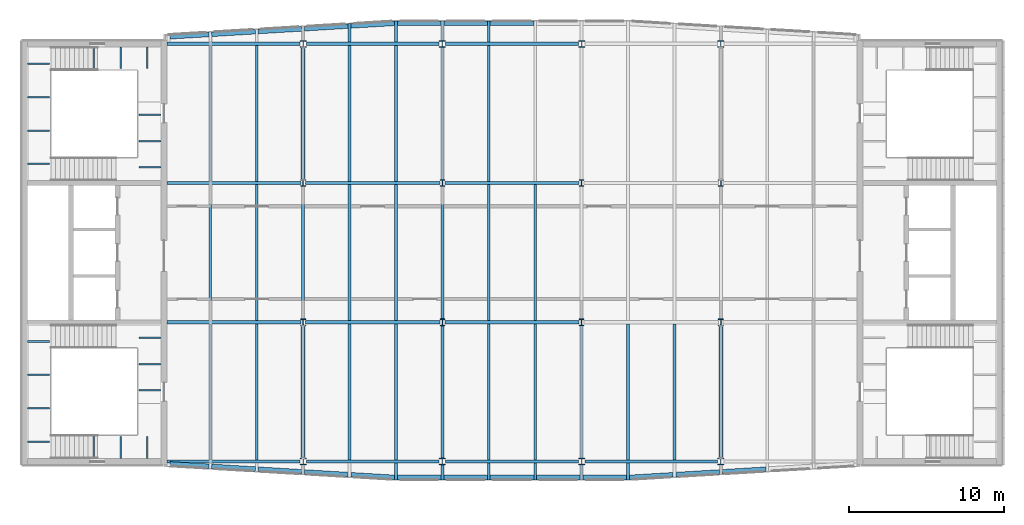
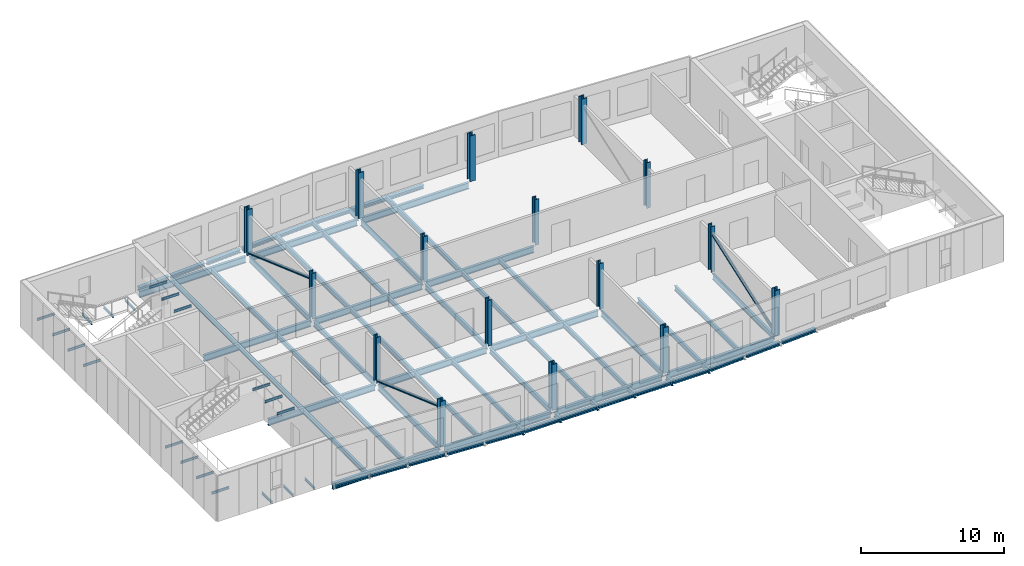
# One storey, part 1 of 9: 91 beams, 16 columns, 3 members.
"""IFC4 building model written with IfcOpenShell, lengths in metres."""

from ifc_helpers import new_model, si_unit, direction, frame, origin, origin_2d, place, context, subcontext, project, spatial, hollow_circle, i_section, extrude, material, material_profile, profile_set, type_object, element, save


model = new_model("IFC4")

# Units and contexts
model_context = context("Model", 3, precision=1e-05, world=origin(), true_north=direction((0.0, 1.0)))
body_context = subcontext(model_context, "Body", "Model", "MODEL_VIEW")
ifc_project = project(units=[si_unit("LENGTHUNIT", "METRE"), si_unit("AREAUNIT", "SQUARE_METRE"), si_unit("VOLUMEUNIT", "CUBIC_METRE"), si_unit("PLANEANGLEUNIT", "RADIAN"), si_unit("MASSUNIT", "GRAM", prefix="KILO")], contexts=[model_context])

# Site, building, storey
site_placement = place(None, origin())
site = spatial("IfcSite", under=ifc_project, at=site_placement, CompositionType="ELEMENT")
building_placement = place(site_placement, origin())
building = spatial("IfcBuilding", under=site, at=building_placement, Name="Azimuth Sports and Learning Centre", CompositionType="ELEMENT")
storey_placement = place(building_placement, frame((0.0, 0.0, 51.89990234375)))
storey = spatial("IfcBuildingStorey", under=building, at=storey_placement, Name="L11", CompositionType="ELEMENT", Elevation=51.89990234375)

# Columns
ifc_material_1 = material(Name="Steel S460", Category="steel")
ifc_material_profile_1 = material_profile(ifc_material_1, i_section(OverallWidth=0.41796875, OverallDepth=0.455078125, WebThickness=0.0419921875, FlangeThickness=0.067626953125, FilletRadius=0.014892578125, at=origin_2d()), Name="HD 400x551")
ifc_profile_set_1 = profile_set([ifc_material_profile_1], Name="Steel S460")
column_type_1 = type_object("IfcColumnType", Name="Column HD 400x551", PredefinedType="COLUMN", material=ifc_profile_set_1)
for number, where, z_axis, x_axis, name in (
    (1, (72.0, 90.0, 0.0), (0.0, 0.0, 1.0), (1.0, 0.0, 0.0), "Hall column 9L L11"),
    (2, (81.0, 90.0, 0.0), (0.0, 0.0, 1.0), (1.0, 0.0, 0.0), "Hall column 10L L11"),
    (3, (90.0, 90.0, 0.0), (0.0, 0.0, 1.0), (1.0, 0.0, 0.0), "Hall column 11L L11"),
    (4, (99.0, 90.0, 0.0), (0.0, 0.0, 1.0), (1.0, 0.0, 0.0), "Hall column 12L L11"),
    (5, (72.0, 117.0, 0.0), (0.0, 0.0, 1.0), (1.0, 0.0, 0.0), "Hall column 9P L11"),
    (6, (81.0, 117.0, 0.0), (0.0, 0.0, 1.0), (1.0, 0.0, 0.0), "Hall column 10P L11"),
    (7, (90.0, 117.0, 0.0), (0.0, 0.0, 1.0), (1.0, 0.0, 0.0), "Hall column 11P L11"),
    (8, (99.0, 117.0, 0.0), (0.0, 0.0, 1.0), (1.0, 0.0, 0.0), "Hall column 12P L11"),
):
    element("IfcColumn", number, at=place(storey_placement, frame(where, z_axis=z_axis, x_axis=x_axis)), inside=storey, type_object=column_type_1, Name=name, PredefinedType="COLUMN", context=body_context, shape_type="SweptSolid", body=[
        extrude(i_section(OverallWidth=0.41796875, OverallDepth=0.455078125, WebThickness=0.0419921875, FlangeThickness=0.067626953125, FilletRadius=0.014892578125, at=origin_2d()), origin(), (0.0, 0.0, 1.0), 3.900146484375),
    ])
ifc_material_2 = material(Name="Steel S355", Category="steel")
ifc_material_profile_2 = material_profile(ifc_material_2, i_section(OverallWidth=0.306884765625, OverallDepth=0.431884765625, WebThickness=0.02099609375, FlangeThickness=0.0400390625, FilletRadius=0.027099609375, at=origin_2d()), Name="HEM 400")
ifc_profile_set_2 = profile_set([ifc_material_profile_2], Name="Steel S355")
column_type_2 = type_object("IfcColumnType", Name="Column HEM 400", PredefinedType="COLUMN", material=ifc_profile_set_2)
for number, where, z_axis, x_axis, name in (
    (9, (72.0, 99.0, 0.0), (0.0, 0.0, 1.0), (1.0, 0.0, 0.0), "Tower column 9M L11"),
    (10, (81.0, 99.0, 0.0), (0.0, 0.0, 1.0), (1.0, 0.0, 0.0), "Tower column 10M L11"),
    (11, (90.0, 99.0, 0.0), (0.0, 0.0, 1.0), (1.0, 0.0, 0.0), "Tower column 11M L11"),
    (12, (99.0, 99.0, 0.0), (0.0, 0.0, 1.0), (1.0, 0.0, 0.0), "Tower column 12M L11"),
    (13, (72.0, 108.0, 0.0), (0.0, 0.0, 1.0), (1.0, 0.0, 0.0), "Tower column 9N L11"),
    (14, (81.0, 108.0, 0.0), (0.0, 0.0, 1.0), (1.0, 0.0, 0.0), "Tower column 10N L11"),
    (15, (90.0, 108.0, 0.0), (0.0, 0.0, 1.0), (1.0, 0.0, 0.0), "Tower column 11N L11"),
    (16, (99.0, 108.0, 0.0), (0.0, 0.0, 1.0), (1.0, 0.0, 0.0), "Tower column 12N L11"),
):
    element("IfcColumn", number, at=place(storey_placement, frame(where, z_axis=z_axis, x_axis=x_axis)), inside=storey, type_object=column_type_2, Name=name, PredefinedType="COLUMN", context=body_context, shape_type="SweptSolid", body=[
        extrude(i_section(OverallWidth=0.306884765625, OverallDepth=0.431884765625, WebThickness=0.02099609375, FlangeThickness=0.0400390625, FilletRadius=0.027099609375, at=origin_2d()), origin(), (0.0, 0.0, 1.0), 3.900146484375),
    ])

# Beams
ifc_material_3 = material(Name="Steel S355", Category="steel")
ifc_material_profile_3 = material_profile(ifc_material_3, i_section(OverallWidth=0.10009765625, OverallDepth=0.199951171875, WebThickness=0.005615234375, FlangeThickness=0.008544921875, FilletRadius=0.011962890625, at=origin_2d()), Name="IPE 200")
ifc_profile_set_3 = profile_set([ifc_material_profile_3], Name="Steel S355")
beam_type_1 = type_object("IfcBeamType", Name="Beam IPE 200", PredefinedType="BEAM", material=ifc_profile_set_3)
for number, where, z_axis, x_axis, name in (
    (17, (58.473388671875, 90.199951171875, -0.2998046875), (0.0, 1.0, 0.0), (-1.0, 0.0, 0.0), "Landing bracket W1 L11 109"),
    (18, (60.199951171875, 90.199951171875, -0.2998046875), (0.0, 1.0, 0.0), (-1.0, 0.0, 0.0), "Landing bracket W1 L11 110"),
    (19, (61.9267578125, 90.199951171875, -0.2998046875), (0.0, 1.0, 0.0), (-1.0, 0.0, 0.0), "Landing bracket W1 L11 111"),
    (20, (54.199951171875, 91.288818359375, 1.35009765625), (1.0, 0.0, 0.0), (0.0, 1.0, 0.0), "Landing bracket W1 L11 112"),
    (21, (54.199951171875, 93.4462890625, 1.35009765625), (1.0, 0.0, 0.0), (0.0, 1.0, 0.0), "Landing bracket W1 L11 113"),
    (22, (54.199951171875, 95.603759765625, 1.35009765625), (1.0, 0.0, 0.0), (0.0, 1.0, 0.0), "Landing bracket W1 L11 114"),
    (23, (54.199951171875, 97.76123046875, 1.35009765625), (1.0, 0.0, 0.0), (0.0, 1.0, 0.0), "Landing bracket W1 L11 115"),
    (24, (62.800048828125, 94.598388671875, 3.60009765625), (-1.0, 0.0, 0.0), (0.0, -1.0, 0.0), "Landing bracket W1 L11 116"),
    (25, (62.800048828125, 96.294921875, 3.60009765625), (-1.0, 0.0, 0.0), (0.0, -1.0, 0.0), "Landing bracket W1 L11 117"),
    (26, (62.800048828125, 97.99169921875, 3.60009765625), (-1.0, 0.0, 0.0), (0.0, -1.0, 0.0), "Landing bracket W1 L11 118"),
    (27, (58.473388671875, 116.800048828125, -0.2998046875), (0.0, -1.0, 0.0), (1.0, 0.0, 0.0), "Landing bracket W2 L11 287"),
    (28, (60.199951171875, 116.800048828125, -0.2998046875), (0.0, -1.0, 0.0), (1.0, 0.0, 0.0), "Landing bracket W2 L11 288"),
    (29, (61.9267578125, 116.800048828125, -0.2998046875), (0.0, -1.0, 0.0), (1.0, 0.0, 0.0), "Landing bracket W2 L11 289"),
    (30, (54.199951171875, 109.23876953125, 1.35009765625), (1.0, 0.0, 0.0), (0.0, 1.0, 0.0), "Landing bracket W2 L11 290"),
    (31, (54.199951171875, 111.396240234375, 1.35009765625), (1.0, 0.0, 0.0), (0.0, 1.0, 0.0), "Landing bracket W2 L11 291"),
    (32, (54.199951171875, 113.5537109375, 1.35009765625), (1.0, 0.0, 0.0), (0.0, 1.0, 0.0), "Landing bracket W2 L11 292"),
    (33, (54.199951171875, 115.711181640625, 1.35009765625), (1.0, 0.0, 0.0), (0.0, 1.0, 0.0), "Landing bracket W2 L11 293"),
    (34, (62.800048828125, 109.00830078125, 3.60009765625), (-1.0, 0.0, 0.0), (0.0, -1.0, 0.0), "Landing bracket W2 L11 294"),
    (35, (62.800048828125, 110.705078125, 3.60009765625), (-1.0, 0.0, 0.0), (0.0, -1.0, 0.0), "Landing bracket W2 L11 295"),
    (36, (62.800048828125, 112.401611328125, 3.60009765625), (-1.0, 0.0, 0.0), (0.0, -1.0, 0.0), "Landing bracket W2 L11 296"),
):
    element("IfcBeam", number, at=place(storey_placement, frame(where, z_axis=z_axis, x_axis=x_axis)), inside=storey, type_object=beam_type_1, Name=name, PredefinedType="BEAM", context=body_context, shape_type="SweptSolid", body=[
        extrude(i_section(OverallWidth=0.10009765625, OverallDepth=0.199951171875, WebThickness=0.005615234375, FlangeThickness=0.008544921875, FilletRadius=0.011962890625, at=origin_2d()), origin(), (0.0, 0.0, 1.0), 1.41015625),
    ])
ifc_material_4 = material(Name="Steel S355", Category="steel")
ifc_material_profile_4 = material_profile(ifc_material_4, i_section(OverallWidth=0.18994140625, OverallDepth=0.449951171875, WebThickness=0.009521484375, FlangeThickness=0.0146484375, FilletRadius=0.02099609375, at=origin_2d()), Name="IPE 450")
ifc_profile_set_4 = profile_set([ifc_material_profile_4], Name="Steel S355")
beam_type_2 = type_object("IfcBeamType", Name="Beam IPE 450", PredefinedType="BEAM", material=ifc_profile_set_4)
beam_1_placement = place(storey_placement, frame((72.0, 90.2275390625, -0.35498046875), z_axis=(0.0, 1.0, 0.0), x_axis=(-1.0, 0.0, 0.0)))
element("IfcBeam", 37, at=beam_1_placement, inside=storey, type_object=beam_type_2, Name="Tower tie", PredefinedType="BEAM", context=body_context, shape_type="SweptSolid", body=[
    extrude(i_section(OverallWidth=0.18994140625, OverallDepth=0.449951171875, WebThickness=0.009521484375, FlangeThickness=0.0146484375, FilletRadius=0.02099609375, at=origin_2d()), origin(), (0.0, 0.0, 1.0), 8.556396484375),
])
beam_2_placement = place(storey_placement, frame((72.0, 99.216064453125, -0.35498046875), z_axis=(0.0, 1.0, 0.0), x_axis=(-1.0, 0.0, 0.0)))
element("IfcBeam", 38, at=beam_2_placement, inside=storey, type_object=beam_type_2, Name="Tower tie", PredefinedType="BEAM", context=body_context, shape_type="SweptSolid", body=[
    extrude(i_section(OverallWidth=0.18994140625, OverallDepth=0.449951171875, WebThickness=0.009521484375, FlangeThickness=0.0146484375, FilletRadius=0.02099609375, at=origin_2d()), origin(), (0.0, 0.0, 1.0), 8.56787109375),
])
for number, where, z_axis, x_axis, name in (
    (39, (72.0, 108.216064453125, -0.35498046875), (0.0, 1.0, 0.0), (-1.0, 0.0, 0.0), "Tower tie"),
    (40, (81.0, 90.2275390625, -0.35498046875), (0.0, 1.0, 0.0), (-1.0, 0.0, 0.0), "Tower tie"),
):
    element("IfcBeam", number, at=place(storey_placement, frame(where, z_axis=z_axis, x_axis=x_axis)), inside=storey, type_object=beam_type_2, Name=name, PredefinedType="BEAM", context=body_context, shape_type="SweptSolid", body=[
        extrude(i_section(OverallWidth=0.18994140625, OverallDepth=0.449951171875, WebThickness=0.009521484375, FlangeThickness=0.0146484375, FilletRadius=0.02099609375, at=origin_2d()), origin(), (0.0, 0.0, 1.0), 8.556396484375),
    ])
beam_3_placement = place(storey_placement, frame((81.0, 99.216064453125, -0.35498046875), z_axis=(0.0, 1.0, 0.0), x_axis=(-1.0, 0.0, 0.0)))
element("IfcBeam", 41, at=beam_3_placement, inside=storey, type_object=beam_type_2, Name="Tower tie", PredefinedType="BEAM", context=body_context, shape_type="SweptSolid", body=[
    extrude(i_section(OverallWidth=0.18994140625, OverallDepth=0.449951171875, WebThickness=0.009521484375, FlangeThickness=0.0146484375, FilletRadius=0.02099609375, at=origin_2d()), origin(), (0.0, 0.0, 1.0), 8.56787109375),
])
for number, where, z_axis, x_axis, name in (
    (42, (81.0, 108.216064453125, -0.35498046875), (0.0, 1.0, 0.0), (-1.0, 0.0, 0.0), "Tower tie"),
    (43, (90.0, 90.2275390625, -0.35498046875), (0.0, 1.0, 0.0), (-1.0, 0.0, 0.0), "Tower tie"),
    (44, (99.0, 90.2275390625, -0.35498046875), (0.0, 1.0, 0.0), (-1.0, 0.0, 0.0), "Tower tie"),
):
    element("IfcBeam", number, at=place(storey_placement, frame(where, z_axis=z_axis, x_axis=x_axis)), inside=storey, type_object=beam_type_2, Name=name, PredefinedType="BEAM", context=body_context, shape_type="SweptSolid", body=[
        extrude(i_section(OverallWidth=0.18994140625, OverallDepth=0.449951171875, WebThickness=0.009521484375, FlangeThickness=0.0146484375, FilletRadius=0.02099609375, at=origin_2d()), origin(), (0.0, 0.0, 1.0), 8.556396484375),
    ])
ifc_material_5 = material(Name="Steel S355", Category="steel")
ifc_material_profile_5 = material_profile(ifc_material_5, i_section(OverallWidth=0.2099609375, OverallDepth=0.550048828125, WebThickness=0.010986328125, FlangeThickness=0.01708984375, FilletRadius=0.02392578125, at=origin_2d()), Name="IPE 550")
ifc_profile_set_5 = profile_set([ifc_material_profile_5], Name="Steel S355")
beam_type_3 = type_object("IfcBeamType", Name="Beam IPE 550", PredefinedType="BEAM", material=ifc_profile_set_5)
beam_4_placement = place(storey_placement, frame((63.199951171875, 90.0, -0.40478515625), z_axis=(1.0, 0.0, 0.0), x_axis=(0.0, 1.0, 0.0)))
element("IfcBeam", 45, at=beam_4_placement, inside=storey, type_object=beam_type_3, Name="Tower girder L11", PredefinedType="BEAM", context=body_context, shape_type="SweptSolid", body=[
    extrude(i_section(OverallWidth=0.2099609375, OverallDepth=0.550048828125, WebThickness=0.010986328125, FlangeThickness=0.01708984375, FilletRadius=0.02392578125, at=origin_2d()), origin(), (0.0, 0.0, 1.0), 8.591064453125),
])
for number, where, z_axis, x_axis, name in (
    (46, (72.208984375, 90.0, -0.40478515625), (1.0, 0.0, 0.0), (0.0, 1.0, 0.0), "Tower girder L11"),
    (47, (81.208984375, 90.0, -0.40478515625), (1.0, 0.0, 0.0), (0.0, 1.0, 0.0), "Tower girder L11"),
    (48, (90.208984375, 90.0, -0.40478515625), (1.0, 0.0, 0.0), (0.0, 1.0, 0.0), "Tower girder L11"),
):
    element("IfcBeam", number, at=place(storey_placement, frame(where, z_axis=z_axis, x_axis=x_axis)), inside=storey, type_object=beam_type_3, Name=name, PredefinedType="BEAM", context=body_context, shape_type="SweptSolid", body=[
        extrude(i_section(OverallWidth=0.2099609375, OverallDepth=0.550048828125, WebThickness=0.010986328125, FlangeThickness=0.01708984375, FilletRadius=0.02392578125, at=origin_2d()), origin(), (0.0, 0.0, 1.0), 8.58203125),
    ])
beam_5_placement = place(storey_placement, frame((63.199951171875, 99.0, -0.40478515625), z_axis=(1.0, 0.0, 0.0), x_axis=(0.0, 1.0, 0.0)))
element("IfcBeam", 49, at=beam_5_placement, inside=storey, type_object=beam_type_3, Name="Tower girder L11", PredefinedType="BEAM", context=body_context, shape_type="SweptSolid", body=[
    extrude(i_section(OverallWidth=0.2099609375, OverallDepth=0.550048828125, WebThickness=0.010986328125, FlangeThickness=0.01708984375, FilletRadius=0.02392578125, at=origin_2d()), origin(), (0.0, 0.0, 1.0), 8.646484375),
])
for number, where, z_axis, x_axis, name in (
    (50, (72.153564453125, 99.0, -0.40478515625), (1.0, 0.0, 0.0), (0.0, 1.0, 0.0), "Tower girder L11"),
    (51, (81.153564453125, 99.0, -0.40478515625), (1.0, 0.0, 0.0), (0.0, 1.0, 0.0), "Tower girder L11"),
):
    element("IfcBeam", number, at=place(storey_placement, frame(where, z_axis=z_axis, x_axis=x_axis)), inside=storey, type_object=beam_type_3, Name=name, PredefinedType="BEAM", context=body_context, shape_type="SweptSolid", body=[
        extrude(i_section(OverallWidth=0.2099609375, OverallDepth=0.550048828125, WebThickness=0.010986328125, FlangeThickness=0.01708984375, FilletRadius=0.02392578125, at=origin_2d()), origin(), (0.0, 0.0, 1.0), 8.69287109375),
    ])
beam_6_placement = place(storey_placement, frame((63.199951171875, 108.0, -0.40478515625), z_axis=(1.0, 0.0, 0.0), x_axis=(0.0, 1.0, 0.0)))
element("IfcBeam", 52, at=beam_6_placement, inside=storey, type_object=beam_type_3, Name="Tower girder L11", PredefinedType="BEAM", context=body_context, shape_type="SweptSolid", body=[
    extrude(i_section(OverallWidth=0.2099609375, OverallDepth=0.550048828125, WebThickness=0.010986328125, FlangeThickness=0.01708984375, FilletRadius=0.02392578125, at=origin_2d()), origin(), (0.0, 0.0, 1.0), 8.646484375),
])
for number, where, z_axis, x_axis, name in (
    (53, (72.153564453125, 108.0, -0.40478515625), (1.0, 0.0, 0.0), (0.0, 1.0, 0.0), "Tower girder L11"),
    (54, (81.153564453125, 108.0, -0.40478515625), (1.0, 0.0, 0.0), (0.0, 1.0, 0.0), "Tower girder L11"),
):
    element("IfcBeam", number, at=place(storey_placement, frame(where, z_axis=z_axis, x_axis=x_axis)), inside=storey, type_object=beam_type_3, Name=name, PredefinedType="BEAM", context=body_context, shape_type="SweptSolid", body=[
        extrude(i_section(OverallWidth=0.2099609375, OverallDepth=0.550048828125, WebThickness=0.010986328125, FlangeThickness=0.01708984375, FilletRadius=0.02392578125, at=origin_2d()), origin(), (0.0, 0.0, 1.0), 8.69287109375),
    ])
beam_7_placement = place(storey_placement, frame((63.199951171875, 117.0, -0.40478515625), z_axis=(1.0, 0.0, 0.0), x_axis=(0.0, 1.0, 0.0)))
element("IfcBeam", 55, at=beam_7_placement, inside=storey, type_object=beam_type_3, Name="Tower girder L11", PredefinedType="BEAM", context=body_context, shape_type="SweptSolid", body=[
    extrude(i_section(OverallWidth=0.2099609375, OverallDepth=0.550048828125, WebThickness=0.010986328125, FlangeThickness=0.01708984375, FilletRadius=0.02392578125, at=origin_2d()), origin(), (0.0, 0.0, 1.0), 8.591064453125),
])
for number, where, z_axis, x_axis, name in (
    (56, (72.208984375, 117.0, -0.40478515625), (1.0, 0.0, 0.0), (0.0, 1.0, 0.0), "Tower girder L11"),
    (57, (81.208984375, 117.0, -0.40478515625), (1.0, 0.0, 0.0), (0.0, 1.0, 0.0), "Tower girder L11"),
):
    element("IfcBeam", number, at=place(storey_placement, frame(where, z_axis=z_axis, x_axis=x_axis)), inside=storey, type_object=beam_type_3, Name=name, PredefinedType="BEAM", context=body_context, shape_type="SweptSolid", body=[
        extrude(i_section(OverallWidth=0.2099609375, OverallDepth=0.550048828125, WebThickness=0.010986328125, FlangeThickness=0.01708984375, FilletRadius=0.02392578125, at=origin_2d()), origin(), (0.0, 0.0, 1.0), 8.58203125),
    ])

# Members
ifc_material_6 = material(Name="Steel S355", Category="steel")
ifc_material_profile_6 = material_profile(ifc_material_6, hollow_circle(Radius=0.122314453125, WallThickness=0.012451171875, at=origin_2d()), Name="CHS 244.5x12.5")
ifc_profile_set_6 = profile_set([ifc_material_profile_6], Name="Steel S355")
member_type = type_object("IfcMemberType", Name="Brace CHS 244.5x12.5", PredefinedType="BRACE", material=ifc_profile_set_6)
for number, where, z_axis, x_axis, name in (
    (58, (72.0, 90.24853515625, 3.200439453125), (0.0, 0.942103788853, -0.33532141451), (-1.0, 0.0, 0.0), "Tower brace 9 L11"),
    (59, (72.0, 108.237060546875, 3.200439453125), (0.0, 0.942103788853, -0.33532141451), (-1.0, 0.0, 0.0), "Tower brace 9 L11"),
    (60, (99.0, 90.24853515625, 0.169921875), (0.0, 0.942103788853, 0.33532141451), (-1.0, 0.0, 0.0), "Tower brace 12 L11"),
):
    element("IfcMember", number, at=place(storey_placement, frame(where, z_axis=z_axis, x_axis=x_axis)), inside=storey, type_object=member_type, Name=name, PredefinedType="BRACE", context=body_context, shape_type="SweptSolid", body=[
        extrude(hollow_circle(Radius=0.122314453125, WallThickness=0.012451171875, at=origin_2d()), origin(), (0.0, 0.0, 1.0), 9.03759765625),
    ])

# Beams
ifc_material_7 = material(Name="Steel S355", Category="steel")
ifc_material_profile_7 = material_profile(ifc_material_7, i_section(OverallWidth=0.179931640625, OverallDepth=0.39990234375, WebThickness=0.008544921875, FlangeThickness=0.013427734375, FilletRadius=0.02099609375, at=origin_2d()), Name="IPE 400")
ifc_profile_set_7 = profile_set([ifc_material_profile_7], Name="Steel S355")
beam_type_4 = type_object("IfcBeamType", Name="Cantilever stub IPE 400", PredefinedType="JOIST", material=ifc_profile_set_7)
beam_8_placement = place(storey_placement, frame((78.0, 89.89501953125, -0.329833984375), z_axis=(0.0, -1.0, 0.0), x_axis=(1.0, 0.0, 0.0)))
element("IfcBeam", 61, at=beam_8_placement, inside=storey, type_object=beam_type_4, Name="Tower cantilever stub", PredefinedType="JOIST", context=body_context, shape_type="SweptSolid", body=[
    extrude(i_section(OverallWidth=0.179931640625, OverallDepth=0.39990234375, WebThickness=0.008544921875, FlangeThickness=0.013427734375, FilletRadius=0.02099609375, at=origin_2d()), origin(), (0.0, 0.0, 1.0), 1.074951171875),
])
beam_9_placement = place(storey_placement, frame((81.0, 89.7724609375, -0.329833984375), z_axis=(0.0, -1.0, 0.0), x_axis=(1.0, 0.0, 0.0)))
element("IfcBeam", 62, at=beam_9_placement, inside=storey, type_object=beam_type_4, Name="Tower cantilever stub", PredefinedType="JOIST", context=body_context, shape_type="SweptSolid", body=[
    extrude(i_section(OverallWidth=0.179931640625, OverallDepth=0.39990234375, WebThickness=0.008544921875, FlangeThickness=0.013427734375, FilletRadius=0.02099609375, at=origin_2d()), origin(), (0.0, 0.0, 1.0), 0.952392578125),
])
for number, where, z_axis, x_axis, name in (
    (63, (84.0, 89.89501953125, -0.329833984375), (0.0, -1.0, 0.0), (1.0, 0.0, 0.0), "Tower cantilever stub"),
    (64, (87.0, 89.89501953125, -0.329833984375), (0.0, -1.0, 0.0), (1.0, 0.0, 0.0), "Tower cantilever stub"),
):
    element("IfcBeam", number, at=place(storey_placement, frame(where, z_axis=z_axis, x_axis=x_axis)), inside=storey, type_object=beam_type_4, Name=name, PredefinedType="JOIST", context=body_context, shape_type="SweptSolid", body=[
        extrude(i_section(OverallWidth=0.179931640625, OverallDepth=0.39990234375, WebThickness=0.008544921875, FlangeThickness=0.013427734375, FilletRadius=0.02099609375, at=origin_2d()), origin(), (0.0, 0.0, 1.0), 1.074951171875),
    ])
beam_10_placement = place(storey_placement, frame((90.0, 89.7724609375, -0.329833984375), z_axis=(0.0, -1.0, 0.0), x_axis=(1.0, 0.0, 0.0)))
element("IfcBeam", 65, at=beam_10_placement, inside=storey, type_object=beam_type_4, Name="Tower cantilever stub", PredefinedType="JOIST", context=body_context, shape_type="SweptSolid", body=[
    extrude(i_section(OverallWidth=0.179931640625, OverallDepth=0.39990234375, WebThickness=0.008544921875, FlangeThickness=0.013427734375, FilletRadius=0.02099609375, at=origin_2d()), origin(), (0.0, 0.0, 1.0), 0.952392578125),
])
beam_11_placement = place(storey_placement, frame((93.0, 89.89501953125, -0.329833984375), z_axis=(0.0, -1.0, 0.0), x_axis=(1.0, 0.0, 0.0)))
element("IfcBeam", 66, at=beam_11_placement, inside=storey, type_object=beam_type_4, Name="Tower cantilever stub", PredefinedType="JOIST", context=body_context, shape_type="SweptSolid", body=[
    extrude(i_section(OverallWidth=0.179931640625, OverallDepth=0.39990234375, WebThickness=0.008544921875, FlangeThickness=0.013427734375, FilletRadius=0.02099609375, at=origin_2d()), origin(), (0.0, 0.0, 1.0), 1.074951171875),
])
beam_12_placement = place(storey_placement, frame((75.0, 117.10498046875, -0.329833984375), z_axis=(0.0, 1.0, 0.0), x_axis=(-1.0, 0.0, 0.0)))
element("IfcBeam", 67, at=beam_12_placement, inside=storey, type_object=beam_type_4, Name="Tower cantilever stub", PredefinedType="JOIST", context=body_context, shape_type="SweptSolid", body=[
    extrude(i_section(OverallWidth=0.179931640625, OverallDepth=0.39990234375, WebThickness=0.008544921875, FlangeThickness=0.013427734375, FilletRadius=0.02099609375, at=origin_2d()), origin(), (0.0, 0.0, 1.0), 1.195068359375),
])
beam_13_placement = place(storey_placement, frame((78.0, 117.10498046875, -0.329833984375), z_axis=(0.0, 1.0, 0.0), x_axis=(-1.0, 0.0, 0.0)))
element("IfcBeam", 68, at=beam_13_placement, inside=storey, type_object=beam_type_4, Name="Tower cantilever stub", PredefinedType="JOIST", context=body_context, shape_type="SweptSolid", body=[
    extrude(i_section(OverallWidth=0.179931640625, OverallDepth=0.39990234375, WebThickness=0.008544921875, FlangeThickness=0.013427734375, FilletRadius=0.02099609375, at=origin_2d()), origin(), (0.0, 0.0, 1.0), 1.375),
])
beam_14_placement = place(storey_placement, frame((81.0, 117.2275390625, -0.329833984375), z_axis=(0.0, 1.0, 0.0), x_axis=(-1.0, 0.0, 0.0)))
element("IfcBeam", 69, at=beam_14_placement, inside=storey, type_object=beam_type_4, Name="Tower cantilever stub", PredefinedType="JOIST", context=body_context, shape_type="SweptSolid", body=[
    extrude(i_section(OverallWidth=0.179931640625, OverallDepth=0.39990234375, WebThickness=0.008544921875, FlangeThickness=0.013427734375, FilletRadius=0.02099609375, at=origin_2d()), origin(), (0.0, 0.0, 1.0), 1.25244140625),
])
beam_15_placement = place(storey_placement, frame((84.0, 117.10498046875, -0.329833984375), z_axis=(0.0, 1.0, 0.0), x_axis=(-1.0, 0.0, 0.0)))
element("IfcBeam", 70, at=beam_15_placement, inside=storey, type_object=beam_type_4, Name="Tower cantilever stub", PredefinedType="JOIST", context=body_context, shape_type="SweptSolid", body=[
    extrude(i_section(OverallWidth=0.179931640625, OverallDepth=0.39990234375, WebThickness=0.008544921875, FlangeThickness=0.013427734375, FilletRadius=0.02099609375, at=origin_2d()), origin(), (0.0, 0.0, 1.0), 1.375),
])
ifc_material_8 = material(Name="Steel S355", Category="steel")
ifc_material_profile_8 = material_profile(ifc_material_8, i_section(OverallWidth=0.300048828125, OverallDepth=0.2900390625, WebThickness=0.008544921875, FlangeThickness=0.013916015625, FilletRadius=0.027099609375, at=origin_2d()), Name="HEA 300")
ifc_profile_set_8 = profile_set([ifc_material_profile_8], Name="Steel S355")
beam_type_5 = type_object("IfcBeamType", Name="Edge beam HEA 300", PredefinedType="SPANDREL", material=ifc_profile_set_8)
beam_16_placement = place(storey_placement, frame((63.3798828125, 89.84716796875, -0.27490234375), z_axis=(0.998203578329, -0.059913405937, 0.0), x_axis=(0.059913405937, 0.998203578329, 0.0)))
element("IfcBeam", 71, at=beam_16_placement, inside=storey, type_object=beam_type_5, Name="Tower edge beam", PredefinedType="SPANDREL", context=body_context, shape_type="SweptSolid", body=[
    extrude(i_section(OverallWidth=0.300048828125, OverallDepth=0.2900390625, WebThickness=0.008544921875, FlangeThickness=0.013916015625, FilletRadius=0.027099609375, at=origin_2d()), origin(), (0.0, 0.0, 1.0), 2.53466796875),
])
for number, where, z_axis, x_axis, name in (
    (72, (66.090087890625, 89.6845703125, -0.27490234375), (0.998204845466, -0.059892290728, 0.0), (0.059892290728, 0.998204845466, 0.0), "Tower edge beam"),
    (73, (69.090087890625, 89.504638671875, -0.27490234375), (0.998204845466, -0.059892290728, 0.0), (0.059892290728, 0.998204845466, 0.0), "Tower edge beam"),
    (74, (72.090087890625, 89.32470703125, -0.27490234375), (0.998204845466, -0.059892290728, 0.0), (0.059892290728, 0.998204845466, 0.0), "Tower edge beam"),
    (75, (75.090087890625, 89.14453125, -0.27490234375), (0.998204845466, -0.059892290728, 0.0), (0.059892290728, 0.998204845466, 0.0), "Tower edge beam"),
):
    element("IfcBeam", number, at=place(storey_placement, frame(where, z_axis=z_axis, x_axis=x_axis)), inside=storey, type_object=beam_type_5, Name=name, PredefinedType="SPANDREL", context=body_context, shape_type="SweptSolid", body=[
        extrude(i_section(OverallWidth=0.300048828125, OverallDepth=0.2900390625, WebThickness=0.008544921875, FlangeThickness=0.013916015625, FilletRadius=0.027099609375, at=origin_2d()), origin(), (0.0, 0.0, 1.0), 2.824951171875),
    ])
for number, where, z_axis, x_axis, name in (
    (76, (78.090087890625, 88.969970703125, -0.27490234375), (1.0, 0.0, 0.0), (0.0, 1.0, 0.0), "Tower edge beam"),
    (77, (81.090087890625, 88.969970703125, -0.27490234375), (1.0, 0.0, 0.0), (0.0, 1.0, 0.0), "Tower edge beam"),
    (78, (84.090087890625, 88.969970703125, -0.27490234375), (1.0, 0.0, 0.0), (0.0, 1.0, 0.0), "Tower edge beam"),
    (79, (87.090087890625, 88.969970703125, -0.27490234375), (1.0, 0.0, 0.0), (0.0, 1.0, 0.0), "Tower edge beam"),
    (80, (90.090087890625, 88.969970703125, -0.27490234375), (1.0, 0.0, 0.0), (0.0, 1.0, 0.0), "Tower edge beam"),
):
    element("IfcBeam", number, at=place(storey_placement, frame(where, z_axis=z_axis, x_axis=x_axis)), inside=storey, type_object=beam_type_5, Name=name, PredefinedType="SPANDREL", context=body_context, shape_type="SweptSolid", body=[
        extrude(i_section(OverallWidth=0.300048828125, OverallDepth=0.2900390625, WebThickness=0.008544921875, FlangeThickness=0.013916015625, FilletRadius=0.027099609375, at=origin_2d()), origin(), (0.0, 0.0, 1.0), 2.81982421875),
    ])
for number, where, z_axis, x_axis, name in (
    (81, (93.090087890625, 88.975341796875, -0.27490234375), (0.998204845466, 0.059892290728, 0.0), (-0.059892290728, 0.998204845466, 0.0), "Tower edge beam"),
    (82, (96.090087890625, 89.155517578125, -0.27490234375), (0.998204845466, 0.059892290728, 0.0), (-0.059892290728, 0.998204845466, 0.0), "Tower edge beam"),
    (83, (99.090087890625, 89.33544921875, -0.27490234375), (0.998204845466, 0.059892290728, 0.0), (-0.059892290728, 0.998204845466, 0.0), "Tower edge beam"),
):
    element("IfcBeam", number, at=place(storey_placement, frame(where, z_axis=z_axis, x_axis=x_axis)), inside=storey, type_object=beam_type_5, Name=name, PredefinedType="SPANDREL", context=body_context, shape_type="SweptSolid", body=[
        extrude(i_section(OverallWidth=0.300048828125, OverallDepth=0.2900390625, WebThickness=0.008544921875, FlangeThickness=0.013916015625, FilletRadius=0.027099609375, at=origin_2d()), origin(), (0.0, 0.0, 1.0), 2.824951171875),
    ])
beam_17_placement = place(storey_placement, frame((63.3798828125, 117.452880859375, -0.27490234375), z_axis=(0.998209334468, 0.059817427068, 0.0), x_axis=(-0.059817427068, 0.998209334468, 0.0)))
element("IfcBeam", 84, at=beam_17_placement, inside=storey, type_object=beam_type_5, Name="Tower edge beam", PredefinedType="SPANDREL", context=body_context, shape_type="SweptSolid", body=[
    extrude(i_section(OverallWidth=0.300048828125, OverallDepth=0.2900390625, WebThickness=0.008544921875, FlangeThickness=0.013916015625, FilletRadius=0.027099609375, at=origin_2d()), origin(), (0.0, 0.0, 1.0), 2.53466796875),
])
for number, where, z_axis, x_axis, name in (
    (85, (66.090087890625, 117.615478515625, -0.27490234375), (0.998204845466, 0.059892290728, 0.0), (-0.059892290728, 0.998204845466, 0.0), "Tower edge beam"),
    (86, (69.090087890625, 117.79541015625, -0.27490234375), (0.998204845466, 0.059892290728, 0.0), (-0.059892290728, 0.998204845466, 0.0), "Tower edge beam"),
    (87, (72.090087890625, 117.975341796875, -0.27490234375), (0.998204845466, 0.059892290728, 0.0), (-0.059892290728, 0.998204845466, 0.0), "Tower edge beam"),
    (88, (75.090087890625, 118.155517578125, -0.27490234375), (0.998204845466, 0.059892290728, 0.0), (-0.059892290728, 0.998204845466, 0.0), "Tower edge beam"),
):
    element("IfcBeam", number, at=place(storey_placement, frame(where, z_axis=z_axis, x_axis=x_axis)), inside=storey, type_object=beam_type_5, Name=name, PredefinedType="SPANDREL", context=body_context, shape_type="SweptSolid", body=[
        extrude(i_section(OverallWidth=0.300048828125, OverallDepth=0.2900390625, WebThickness=0.008544921875, FlangeThickness=0.013916015625, FilletRadius=0.027099609375, at=origin_2d()), origin(), (0.0, 0.0, 1.0), 2.824951171875),
    ])
for number, where, z_axis, x_axis, name in (
    (89, (78.090087890625, 118.330078125, -0.27490234375), (1.0, 0.0, 0.0), (0.0, 1.0, 0.0), "Tower edge beam"),
    (90, (81.090087890625, 118.330078125, -0.27490234375), (1.0, 0.0, 0.0), (0.0, 1.0, 0.0), "Tower edge beam"),
    (91, (84.090087890625, 118.330078125, -0.27490234375), (1.0, 0.0, 0.0), (0.0, 1.0, 0.0), "Tower edge beam"),
):
    element("IfcBeam", number, at=place(storey_placement, frame(where, z_axis=z_axis, x_axis=x_axis)), inside=storey, type_object=beam_type_5, Name=name, PredefinedType="SPANDREL", context=body_context, shape_type="SweptSolid", body=[
        extrude(i_section(OverallWidth=0.300048828125, OverallDepth=0.2900390625, WebThickness=0.008544921875, FlangeThickness=0.013916015625, FilletRadius=0.027099609375, at=origin_2d()), origin(), (0.0, 0.0, 1.0), 2.81982421875),
    ])
ifc_material_9 = material(Name="Steel S355", Category="steel")
ifc_material_profile_9 = material_profile(ifc_material_9, i_section(OverallWidth=0.179931640625, OverallDepth=0.39990234375, WebThickness=0.008544921875, FlangeThickness=0.013427734375, FilletRadius=0.02099609375, at=origin_2d()), Name="IPE 400")
ifc_profile_set_9 = profile_set([ifc_material_profile_9], Name="Steel S355")
beam_type_6 = type_object("IfcBeamType", Name="Joist IPE 400", PredefinedType="JOIST", material=ifc_profile_set_9)
for number, where, z_axis, x_axis, name in (
    (92, (66.0, 90.10498046875, -0.329833984375), (0.0, 1.0, 0.0), (-1.0, 0.0, 0.0), "Tower joist"),
    (93, (66.0, 99.10498046875, -0.329833984375), (0.0, 1.0, 0.0), (-1.0, 0.0, 0.0), "Tower joist"),
    (94, (66.0, 108.10498046875, -0.329833984375), (0.0, 1.0, 0.0), (-1.0, 0.0, 0.0), "Tower joist"),
    (95, (69.0, 90.10498046875, -0.329833984375), (0.0, 1.0, 0.0), (-1.0, 0.0, 0.0), "Tower joist"),
    (96, (69.0, 99.10498046875, -0.329833984375), (0.0, 1.0, 0.0), (-1.0, 0.0, 0.0), "Tower joist"),
    (97, (69.0, 108.10498046875, -0.329833984375), (0.0, 1.0, 0.0), (-1.0, 0.0, 0.0), "Tower joist"),
    (98, (75.0, 90.10498046875, -0.329833984375), (0.0, 1.0, 0.0), (-1.0, 0.0, 0.0), "Tower joist"),
    (99, (75.0, 99.10498046875, -0.329833984375), (0.0, 1.0, 0.0), (-1.0, 0.0, 0.0), "Tower joist"),
    (100, (75.0, 108.10498046875, -0.329833984375), (0.0, 1.0, 0.0), (-1.0, 0.0, 0.0), "Tower joist"),
    (101, (78.0, 90.10498046875, -0.329833984375), (0.0, 1.0, 0.0), (-1.0, 0.0, 0.0), "Tower joist"),
    (102, (78.0, 99.10498046875, -0.329833984375), (0.0, 1.0, 0.0), (-1.0, 0.0, 0.0), "Tower joist"),
    (103, (78.0, 108.10498046875, -0.329833984375), (0.0, 1.0, 0.0), (-1.0, 0.0, 0.0), "Tower joist"),
    (104, (84.0, 90.10498046875, -0.329833984375), (0.0, 1.0, 0.0), (-1.0, 0.0, 0.0), "Tower joist"),
    (105, (84.0, 99.10498046875, -0.329833984375), (0.0, 1.0, 0.0), (-1.0, 0.0, 0.0), "Tower joist"),
    (106, (84.0, 108.10498046875, -0.329833984375), (0.0, 1.0, 0.0), (-1.0, 0.0, 0.0), "Tower joist"),
    (107, (87.0, 90.10498046875, -0.329833984375), (0.0, 1.0, 0.0), (-1.0, 0.0, 0.0), "Tower joist"),
    (108, (87.0, 99.10498046875, -0.329833984375), (0.0, 1.0, 0.0), (-1.0, 0.0, 0.0), "Tower joist"),
    (109, (93.0, 90.10498046875, -0.329833984375), (0.0, 1.0, 0.0), (-1.0, 0.0, 0.0), "Tower joist"),
    (110, (96.0, 90.10498046875, -0.329833984375), (0.0, 1.0, 0.0), (-1.0, 0.0, 0.0), "Tower joist"),
):
    element("IfcBeam", number, at=place(storey_placement, frame(where, z_axis=z_axis, x_axis=x_axis)), inside=storey, type_object=beam_type_6, Name=name, PredefinedType="JOIST", context=body_context, shape_type="SweptSolid", body=[
        extrude(i_section(OverallWidth=0.179931640625, OverallDepth=0.39990234375, WebThickness=0.008544921875, FlangeThickness=0.013427734375, FilletRadius=0.02099609375, at=origin_2d()), origin(), (0.0, 0.0, 1.0), 8.7900390625),
    ])

save(model, "model.ifc")
